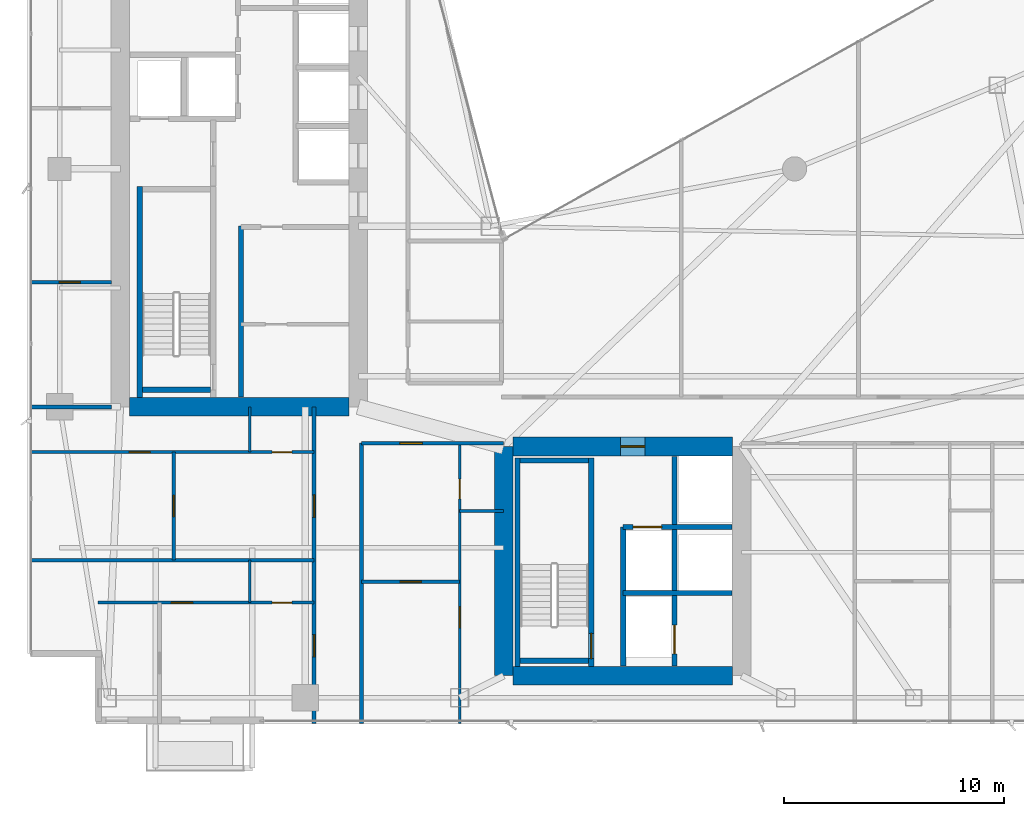
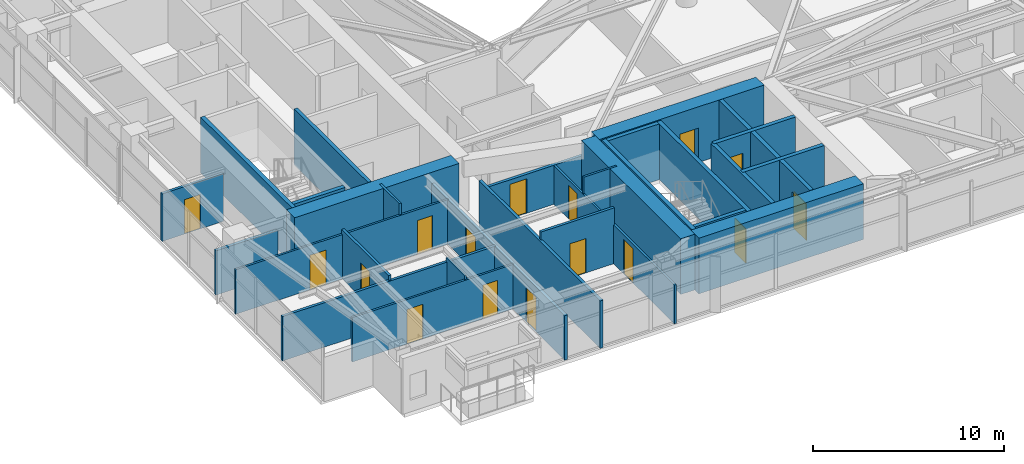
# One storey, part 22 of 29: 29 walls, 16 doors, 16 openings.
"""IFC4 building model written with IfcOpenShell, lengths in metres."""

from ifc_helpers import new_model, si_unit, direction, frame, frame_2d, origin, place, context, subcontext, project, spatial, rectangle, extrude, material, layer, layer_set, type_object, element, fill, save


model = new_model("IFC4")

# Units and contexts
model_context = context("Model", 3, precision=1e-05, world=origin(), true_north=direction((0.0, 1.0)))
body_context = subcontext(model_context, "Body", "Model", "MODEL_VIEW")
ifc_project = project(units=[si_unit("LENGTHUNIT", "METRE"), si_unit("AREAUNIT", "SQUARE_METRE"), si_unit("VOLUMEUNIT", "CUBIC_METRE"), si_unit("PLANEANGLEUNIT", "RADIAN"), si_unit("MASSUNIT", "GRAM", prefix="KILO")], contexts=[model_context])

# Site, building, storey
site_placement = place(None, origin())
site = spatial("IfcSite", under=ifc_project, at=site_placement, CompositionType="ELEMENT")
building_placement = place(site_placement, origin())
building = spatial("IfcBuilding", under=site, at=building_placement, Name="Calvorn Quay Hotel", CompositionType="ELEMENT")
storey_placement = place(building_placement, frame((0.0, 0.0, 124.0)))
storey = spatial("IfcBuildingStorey", under=building, at=storey_placement, Name="L30", CompositionType="ELEMENT", Elevation=124.0)

# Walls
ifc_material_1 = material(Name="Concrete C50", Category="concrete")
ifc_layer_1 = layer(ifc_material_1, 0.85009765625)
ifc_layer_set_1 = layer_set([ifc_layer_1], Name="WL-CORE-850")
wall_type_1 = type_object("IfcWallType", Name="WL-CORE-850", PredefinedType="SHEAR", material=ifc_layer_set_1)
wall_1_placement = place(storey_placement, frame((4.625, 16.800048828125, 0.0), z_axis=(0.0, 0.0, 1.0), x_axis=(1.0, 0.0, 0.0)))
element("IfcWall", 1, at=wall_1_placement, inside=storey, type_object=wall_type_1, Name="West Core Shear Wall S (L30)", PredefinedType="SHEAR", context=body_context, shape_type="SweptSolid", body=[
    extrude(rectangle(XDim=9.949951171875, YDim=0.85009765625, at=frame_2d((4.97509765625, 0.0))), origin(), (0.0, 0.0, 1.0), 3.56005859375),
])
wall_2_placement = place(storey_placement, frame((21.60009765625, 4.60009765625, 0.0), z_axis=(0.0, 0.0, 1.0), x_axis=(0.0, 1.0, 0.0)))
element("IfcWall", 2, at=wall_2_placement, inside=storey, type_object=wall_type_1, Name="East Core Shear Wall W (L30)", PredefinedType="SHEAR", context=body_context, shape_type="SweptSolid", body=[
    extrude(rectangle(XDim=10.39990234375, YDim=0.85009765625, at=frame_2d((5.199951171875, 0.0))), origin(), (0.0, 0.0, 1.0), 3.56005859375),
])

# Wall, opening, door
wall_3_placement = place(storey_placement, frame((22.02490234375, 15.0, 0.0), z_axis=(0.0, 0.0, 1.0), x_axis=(1.0, 0.0, 0.0)))
wall_3 = element("IfcWall", 3, at=wall_3_placement, inside=storey, type_object=wall_type_1, Name="East Core Shear Wall N (L30)", PredefinedType="SHEAR", context=body_context, shape_type="SweptSolid", body=[
    extrude(rectangle(XDim=9.9501953125, YDim=0.85009765625, at=frame_2d((4.97509765625, 0.0))), origin(), (0.0, 0.0, 1.0), 3.56005859375),
])
opening_1_placement = place(wall_3_placement, frame((4.8798828125, 0.0, 0.0)))
opening_1 = element("IfcOpeningElement", 4, at=opening_1_placement, cuts=wall_3, Name="Opening D-L30-FLE", PredefinedType="OPENING", context=body_context, shape_type="SweptSolid", body=[
    extrude(rectangle(XDim=1.10009765625, YDim=2.199951171875, at=frame_2d((0.550048828125, 1.10009765625))), frame((0.0, 0.43505859375, 0.0), z_axis=(0.0, -1.0, 0.0), x_axis=(1.0, 0.0, 0.0)), (0.0, 0.0, 1.0), 0.8701171875),
])
ifc_material_2 = material(Name="Smoke-Sealed Steel Class A Fire Door", Category="steel")
door_type_1 = type_object("IfcDoorType", Name="DR-FFLOBBY-1100", OperationType="NOTDEFINED", PredefinedType="DOOR", material=ifc_material_2)
door_1_placement = place(opening_1_placement, origin())
door_1 = element("IfcDoor", 5, at=door_1_placement, inside=storey, type_object=door_type_1, Name="East Firefighting Lobby Fire Door (L30)", OperationType="SINGLE_SWING_RIGHT", OverallHeight=2.199951171875, OverallWidth=1.10009765625, PredefinedType="DOOR", context=body_context, shape_type="SweptSolid", body=[
    extrude(rectangle(XDim=1.10009765625, YDim=2.199951171875, at=frame_2d((0.550048828125, 1.10009765625))), frame((0.0, 0.02490234375, 0.0), z_axis=(0.0, -1.0, 0.0), x_axis=(1.0, 0.0, 0.0)), (0.0, 0.0, 1.0), 0.050048828125),
])
fill(opening_1, door_1)

# Walls
wall_4_placement = place(storey_placement, frame((22.02490234375, 4.60009765625, 0.0), z_axis=(0.0, 0.0, 1.0), x_axis=(1.0, 0.0, 0.0)))
element("IfcWall", 6, at=wall_4_placement, inside=storey, type_object=wall_type_1, Name="East Core Shear Wall S (L30)", PredefinedType="SHEAR", context=body_context, shape_type="SweptSolid", body=[
    extrude(rectangle(XDim=9.9501953125, YDim=0.85009765625, at=frame_2d((4.97509765625, 0.0))), origin(), (0.0, 0.0, 1.0), 3.56005859375),
])
ifc_material_3 = material(Name="Acoustic Fireboard Steel-Stud Partition", Category="steel")
ifc_layer_2 = layer(ifc_material_3, 0.179931640625)
ifc_layer_set_2 = layer_set([ifc_layer_2], Name="WL-CORR-FIRE-180")
wall_type_2 = type_object("IfcWallType", Name="WL-CORR-FIRE-180", PredefinedType="PARTITIONING", material=ifc_layer_set_2)
wall_5_placement = place(storey_placement, frame((0.080078125, 16.800048828125, 0.0), z_axis=(0.0, 0.0, 1.0), x_axis=(1.0, 0.0, 0.0)))
element("IfcWall", 7, at=wall_5_placement, inside=storey, type_object=wall_type_2, Name="Partition Wall L30-WL-WBAY-S-WALL", PredefinedType="PARTITIONING", context=body_context, shape_type="SweptSolid", body=[
    extrude(rectangle(XDim=3.724853515625, YDim=0.179931640625, at=frame_2d((1.8623046875, 0.0))), origin(), (0.0, 0.0, 1.0), 2.840087890625),
])

# Wall, openings, doors
wall_6_placement = place(storey_placement, frame((13.0, 2.43994140625, 0.0), z_axis=(0.0, 0.0, 1.0), x_axis=(0.0, 1.0, 0.0)))
wall_6 = element("IfcWall", 8, at=wall_6_placement, inside=storey, type_object=wall_type_2, Name="Partition Wall L30-WL-CORR-SW-LEG-W", PredefinedType="PARTITIONING", context=body_context, shape_type="SweptSolid", body=[
    extrude(rectangle(XDim=14.360107421875, YDim=0.179931640625, at=frame_2d((7.18017578125, 0.0))), origin(), (0.0, 0.0, 1.0), 2.840087890625),
])
opening_2_placement = place(wall_6_placement, frame((3.010009765625, 0.0, 0.0)))
opening_2 = element("IfcOpeningElement", 9, at=opening_2_placement, cuts=wall_6, Name="Opening D-L30-U01", PredefinedType="OPENING", context=body_context, shape_type="SweptSolid", body=[
    extrude(rectangle(XDim=1.02001953125, YDim=2.199951171875, at=frame_2d((0.510009765625, 1.10009765625))), frame((0.0, 0.099853515625, 0.0), z_axis=(0.0, -1.0, 0.0), x_axis=(1.0, 0.0, 0.0)), (0.0, 0.0, 1.0), 0.199951171875),
])
opening_3_placement = place(wall_6_placement, frame((9.35009765625, 0.0, 0.0)))
opening_3 = element("IfcOpeningElement", 10, at=opening_3_placement, cuts=wall_6, Name="Opening D-L30-U02", PredefinedType="OPENING", context=body_context, shape_type="SweptSolid", body=[
    extrude(rectangle(XDim=1.02001953125, YDim=2.199951171875, at=frame_2d((0.510009765625, 1.10009765625))), frame((0.0, 0.099853515625, 0.0), z_axis=(0.0, -1.0, 0.0), x_axis=(1.0, 0.0, 0.0)), (0.0, 0.0, 1.0), 0.199951171875),
])
ifc_material_4 = material(Name="Solid-Core Walnut Veneer Hotel Fire Door")
door_type_2 = type_object("IfcDoorType", Name="DR-GUEST-ENTRY-1020", OperationType="NOTDEFINED", PredefinedType="DOOR", material=ifc_material_4)
door_2_placement = place(opening_2_placement, origin())
door_2 = element("IfcDoor", 11, at=door_2_placement, inside=storey, type_object=door_type_2, Name="South-West Unit Door U01 (L30)", OperationType="SINGLE_SWING_LEFT", OverallHeight=2.199951171875, OverallWidth=1.02001953125, PredefinedType="DOOR", context=body_context, shape_type="SweptSolid", body=[
    extrude(rectangle(XDim=1.02001953125, YDim=2.199951171875, at=frame_2d((0.510009765625, 1.10009765625))), frame((0.0, 0.02490234375, 0.0), z_axis=(0.0, -1.0, 0.0), x_axis=(1.0, 0.0, 0.0)), (0.0, 0.0, 1.0), 0.050048828125),
])
fill(opening_2, door_2)
door_3_placement = place(opening_3_placement, origin())
door_3 = element("IfcDoor", 12, at=door_3_placement, inside=storey, type_object=door_type_2, Name="South-West Unit Door U02 (L30)", OperationType="SINGLE_SWING_RIGHT", OverallHeight=2.199951171875, OverallWidth=1.02001953125, PredefinedType="DOOR", context=body_context, shape_type="SweptSolid", body=[
    extrude(rectangle(XDim=1.02001953125, YDim=2.199951171875, at=frame_2d((0.510009765625, 1.10009765625))), frame((0.0, 0.02490234375, 0.0), z_axis=(0.0, -1.0, 0.0), x_axis=(1.0, 0.0, 0.0)), (0.0, 0.0, 1.0), 0.050048828125),
])
fill(opening_3, door_3)

# Wall
wall_7_placement = place(storey_placement, frame((15.14990234375, 2.43994140625, 0.0), z_axis=(0.0, 0.0, 1.0), x_axis=(0.0, 1.0, 0.0)))
element("IfcWall", 13, at=wall_7_placement, inside=storey, type_object=wall_type_2, Name="Partition Wall L30-WL-CORR-SW-W", PredefinedType="PARTITIONING", context=body_context, shape_type="SweptSolid", body=[
    extrude(rectangle(XDim=12.7099609375, YDim=0.179931640625, at=frame_2d((6.35498046875, 0.0))), origin(), (0.0, 0.0, 1.0), 3.0400390625),
])

# Wall, opening, door
wall_8_placement = place(storey_placement, frame((15.14990234375, 15.14990234375, 0.0), z_axis=(0.0, 0.0, 1.0), x_axis=(1.0, 0.0, 0.0)))
wall_8 = element("IfcWall", 14, at=wall_8_placement, inside=storey, type_object=wall_type_2, Name="Partition Wall L30-WL-SC-CORR-S", PredefinedType="PARTITIONING", context=body_context, shape_type="SweptSolid", body=[
    extrude(rectangle(XDim=6.4501953125, YDim=0.179931640625, at=frame_2d((3.22509765625, 0.0))), origin(), (0.0, 0.0, 1.0), 2.489990234375),
])
opening_4_placement = place(wall_8_placement, frame((1.739990234375, 0.0, 0.0)))
opening_4 = element("IfcOpeningElement", 15, at=opening_4_placement, cuts=wall_8, Name="Opening D-L30-U03", PredefinedType="OPENING", context=body_context, shape_type="SweptSolid", body=[
    extrude(rectangle(XDim=1.02001953125, YDim=2.199951171875, at=frame_2d((0.510009765625, 1.10009765625))), frame((0.0, 0.099853515625, 0.0), z_axis=(0.0, -1.0, 0.0), x_axis=(1.0, 0.0, 0.0)), (0.0, 0.0, 1.0), 0.199951171875),
])
door_4_placement = place(opening_4_placement, origin())
door_4 = element("IfcDoor", 16, at=door_4_placement, inside=storey, type_object=door_type_2, Name="Harbour Central Unit Door (L30)", OperationType="SINGLE_SWING_LEFT", OverallHeight=2.199951171875, OverallWidth=1.02001953125, PredefinedType="DOOR", context=body_context, shape_type="SweptSolid", body=[
    extrude(rectangle(XDim=1.02001953125, YDim=2.199951171875, at=frame_2d((0.510009765625, 1.10009765625))), frame((0.0, 0.02490234375, 0.0), z_axis=(0.0, -1.0, 0.0), x_axis=(1.0, 0.0, 0.0)), (0.0, 0.0, 1.0), 0.050048828125),
])
fill(opening_4, door_4)

# Wall
ifc_material_5 = material(Name="Moisture-Resistant Tile-Backed Partition")
ifc_layer_3 = layer(ifc_material_5, 0.125)
ifc_layer_set_3 = layer_set([ifc_layer_3], Name="WL-ENSUITE-125")
wall_type_3 = type_object("IfcWallType", Name="WL-ENSUITE-125", PredefinedType="PARTITIONING", material=ifc_layer_set_3)
wall_9_placement = place(storey_placement, frame((10.080078125, 7.919921875, 0.0), z_axis=(0.0, 0.0, 1.0), x_axis=(0.0, 1.0, 0.0)))
element("IfcWall", 17, at=wall_9_placement, inside=storey, type_object=wall_type_3, Name="Partition Wall L30-WL-U01-BDV", PredefinedType="PARTITIONING", context=body_context, shape_type="SweptSolid", body=[
    extrude(rectangle(XDim=1.93017578125, YDim=0.125, at=frame_2d((0.965087890625, 0.0))), origin(), (0.0, 0.0, 1.0), 3.090087890625),
])

# Wall, openings, doors
wall_10_placement = place(storey_placement, frame((3.199951171875, 7.919921875, 0.0), z_axis=(0.0, 0.0, 1.0), x_axis=(1.0, 0.0, 0.0)))
wall_10 = element("IfcWall", 18, at=wall_10_placement, inside=storey, type_object=wall_type_3, Name="Partition Wall L30-WL-U01-BH", PredefinedType="PARTITIONING", context=body_context, shape_type="SweptSolid", body=[
    extrude(rectangle(XDim=9.800048828125, YDim=0.125, at=frame_2d((4.89990234375, 0.0))), origin(), (0.0, 0.0, 1.0), 2.840087890625),
])
opening_5_placement = place(wall_10_placement, frame((3.320068359375, 0.0, 0.0)))
opening_5 = element("IfcOpeningElement", 19, at=opening_5_placement, cuts=wall_10, Name="Opening D-L30-S01", PredefinedType="OPENING", context=body_context, shape_type="SweptSolid", body=[
    extrude(rectangle(XDim=0.9599609375, YDim=2.199951171875, at=frame_2d((0.47998046875, 1.10009765625))), frame((0.0, 0.072509765625, 0.0), z_axis=(0.0, -1.0, 0.0), x_axis=(1.0, 0.0, 0.0)), (0.0, 0.0, 1.0), 0.14501953125),
])
opening_6_placement = place(wall_10_placement, frame((7.889892578125, 0.0, 0.0)))
opening_6 = element("IfcOpeningElement", 20, at=opening_6_placement, cuts=wall_10, Name="Opening D-L30-E01", PredefinedType="OPENING", context=body_context, shape_type="SweptSolid", body=[
    extrude(rectangle(XDim=0.89990234375, YDim=2.14990234375, at=frame_2d((0.449951171875, 1.074951171875))), frame((0.0, 0.072509765625, 0.0), z_axis=(0.0, -1.0, 0.0), x_axis=(1.0, 0.0, 0.0)), (0.0, 0.0, 1.0), 0.14501953125),
])
ifc_material_6 = material(Name="Moisture-Sealed Timber En-Suite Door", Category="wood")
door_type_3 = type_object("IfcDoorType", Name="DR-ENSUITE-900", OperationType="NOTDEFINED", PredefinedType="DOOR", material=ifc_material_6)
door_5_placement = place(opening_6_placement, origin())
door_5 = element("IfcDoor", 21, at=door_5_placement, inside=storey, type_object=door_type_3, Name="En-Suite Door 01", OperationType="SINGLE_SWING_RIGHT", OverallHeight=2.14990234375, OverallWidth=0.89990234375, PredefinedType="DOOR", context=body_context, shape_type="SweptSolid", body=[
    extrude(rectangle(XDim=0.89990234375, YDim=2.14990234375, at=frame_2d((0.449951171875, 1.074951171875))), frame((0.0, 0.02490234375, 0.0), z_axis=(0.0, -1.0, 0.0), x_axis=(1.0, 0.0, 0.0)), (0.0, 0.0, 1.0), 0.050048828125),
])
fill(opening_6, door_5)
ifc_material_7 = material(Name="Solid Timber Internal Suite Door", Category="wood")
door_type_4 = type_object("IfcDoorType", Name="DR-SUITE-INT-960", OperationType="NOTDEFINED", PredefinedType="DOOR", material=ifc_material_7)
door_6_placement = place(opening_5_placement, origin())
door_6 = element("IfcDoor", 22, at=door_6_placement, inside=storey, type_object=door_type_4, Name="Harbour Tea Room Door 01", OperationType="SINGLE_SWING_LEFT", OverallHeight=2.199951171875, OverallWidth=0.9599609375, PredefinedType="DOOR", context=body_context, shape_type="SweptSolid", body=[
    extrude(rectangle(XDim=0.9599609375, YDim=2.199951171875, at=frame_2d((0.47998046875, 1.10009765625))), frame((0.0, 0.02490234375, 0.0), z_axis=(0.0, -1.0, 0.0), x_axis=(1.0, 0.0, 0.0)), (0.0, 0.0, 1.0), 0.050048828125),
])
fill(opening_5, door_6)

# Wall
wall_11_placement = place(storey_placement, frame((10.080078125, 14.75, 0.0), z_axis=(0.0, 0.0, 1.0), x_axis=(0.0, 1.0, 0.0)))
element("IfcWall", 23, at=wall_11_placement, inside=storey, type_object=wall_type_3, Name="Partition Wall L30-WL-U02-BDV", PredefinedType="PARTITIONING", context=body_context, shape_type="SweptSolid", body=[
    extrude(rectangle(XDim=2.050048828125, YDim=0.125, at=frame_2d((1.02490234375, 0.0))), origin(), (0.0, 0.0, 1.0), 3.56005859375),
])

# Wall, openings, doors
wall_12_placement = place(storey_placement, frame((0.080078125, 14.75, 0.0), z_axis=(0.0, 0.0, 1.0), x_axis=(1.0, 0.0, 0.0)))
wall_12 = element("IfcWall", 24, at=wall_12_placement, inside=storey, type_object=wall_type_3, Name="Partition Wall L30-WL-U02-BH", PredefinedType="PARTITIONING", context=body_context, shape_type="SweptSolid", body=[
    extrude(rectangle(XDim=12.919921875, YDim=0.125, at=frame_2d((6.4599609375, 0.0))), origin(), (0.0, 0.0, 1.0), 2.840087890625),
])
opening_7_placement = place(wall_12_placement, frame((4.52001953125, 0.0, 0.0)))
opening_7 = element("IfcOpeningElement", 25, at=opening_7_placement, cuts=wall_12, Name="Opening D-L30-S02", PredefinedType="OPENING", context=body_context, shape_type="SweptSolid", body=[
    extrude(rectangle(XDim=0.9599609375, YDim=2.199951171875, at=frame_2d((0.47998046875, 1.10009765625))), frame((0.0, 0.072509765625, 0.0), z_axis=(0.0, -1.0, 0.0), x_axis=(1.0, 0.0, 0.0)), (0.0, 0.0, 1.0), 0.14501953125),
])
opening_8_placement = place(wall_12_placement, frame((11.010009765625, 0.0, 0.0)))
opening_8 = element("IfcOpeningElement", 26, at=opening_8_placement, cuts=wall_12, Name="Opening D-L30-E02", PredefinedType="OPENING", context=body_context, shape_type="SweptSolid", body=[
    extrude(rectangle(XDim=0.89990234375, YDim=2.14990234375, at=frame_2d((0.449951171875, 1.074951171875))), frame((0.0, 0.072509765625, 0.0), z_axis=(0.0, -1.0, 0.0), x_axis=(1.0, 0.0, 0.0)), (0.0, 0.0, 1.0), 0.14501953125),
])
door_7_placement = place(opening_8_placement, origin())
door_7 = element("IfcDoor", 27, at=door_7_placement, inside=storey, type_object=door_type_3, Name="En-Suite Door 02", OperationType="SINGLE_SWING_RIGHT", OverallHeight=2.14990234375, OverallWidth=0.89990234375, PredefinedType="DOOR", context=body_context, shape_type="SweptSolid", body=[
    extrude(rectangle(XDim=0.89990234375, YDim=2.14990234375, at=frame_2d((0.449951171875, 1.074951171875))), frame((0.0, 0.02490234375, 0.0), z_axis=(0.0, -1.0, 0.0), x_axis=(1.0, 0.0, 0.0)), (0.0, 0.0, 1.0), 0.050048828125),
])
fill(opening_8, door_7)
door_8_placement = place(opening_7_placement, origin())
door_8 = element("IfcDoor", 28, at=door_8_placement, inside=storey, type_object=door_type_4, Name="Harbour Tea Room Door 02", OperationType="SINGLE_SWING_LEFT", OverallHeight=2.199951171875, OverallWidth=0.9599609375, PredefinedType="DOOR", context=body_context, shape_type="SweptSolid", body=[
    extrude(rectangle(XDim=0.9599609375, YDim=2.199951171875, at=frame_2d((0.47998046875, 1.10009765625))), frame((0.0, 0.02490234375, 0.0), z_axis=(0.0, -1.0, 0.0), x_axis=(1.0, 0.0, 0.0)), (0.0, 0.0, 1.0), 0.050048828125),
])
fill(opening_7, door_8)

# Wall
wall_13_placement = place(storey_placement, frame((19.60009765625, 12.070068359375, 0.0), z_axis=(0.0, 0.0, 1.0), x_axis=(1.0, 0.0, 0.0)))
element("IfcWall", 29, at=wall_13_placement, inside=storey, type_object=wall_type_3, Name="Partition Wall L30-WL-U03-BDV", PredefinedType="PARTITIONING", context=body_context, shape_type="SweptSolid", body=[
    extrude(rectangle(XDim=2.0, YDim=0.125, at=frame_2d((1.0, 0.0))), origin(), (0.0, 0.0, 1.0), 3.56005859375),
])

# Wall, openings, doors
wall_14_placement = place(storey_placement, frame((19.60009765625, 2.43994140625, 0.0), z_axis=(0.0, 0.0, 1.0), x_axis=(0.0, 1.0, 0.0)))
wall_14 = element("IfcWall", 30, at=wall_14_placement, inside=storey, type_object=wall_type_3, Name="Partition Wall L30-WL-U03-BV", PredefinedType="PARTITIONING", context=body_context, shape_type="SweptSolid", body=[
    extrude(rectangle(XDim=12.7099609375, YDim=0.125, at=frame_2d((6.35498046875, 0.0))), origin(), (0.0, 0.0, 1.0), 2.489990234375),
])
opening_9_placement = place(wall_14_placement, frame((4.340087890625, 0.0, 0.0)))
opening_9 = element("IfcOpeningElement", 31, at=opening_9_placement, cuts=wall_14, Name="Opening D-L30-S03", PredefinedType="OPENING", context=body_context, shape_type="SweptSolid", body=[
    extrude(rectangle(XDim=0.9599609375, YDim=2.199951171875, at=frame_2d((0.47998046875, 1.10009765625))), frame((0.0, 0.072509765625, 0.0), z_axis=(0.0, -1.0, 0.0), x_axis=(1.0, 0.0, 0.0)), (0.0, 0.0, 1.0), 0.14501953125),
])
opening_10_placement = place(wall_14_placement, frame((10.179931640625, 0.0, 0.0)))
opening_10 = element("IfcOpeningElement", 32, at=opening_10_placement, cuts=wall_14, Name="Opening D-L30-E03", PredefinedType="OPENING", context=body_context, shape_type="SweptSolid", body=[
    extrude(rectangle(XDim=0.89990234375, YDim=2.14990234375, at=frame_2d((0.449951171875, 1.074951171875))), frame((0.0, 0.072509765625, 0.0), z_axis=(0.0, -1.0, 0.0), x_axis=(1.0, 0.0, 0.0)), (0.0, 0.0, 1.0), 0.14501953125),
])
door_9_placement = place(opening_10_placement, origin())
door_9 = element("IfcDoor", 33, at=door_9_placement, inside=storey, type_object=door_type_3, Name="En-Suite Door 03", OperationType="SINGLE_SWING_RIGHT", OverallHeight=2.14990234375, OverallWidth=0.89990234375, PredefinedType="DOOR", context=body_context, shape_type="SweptSolid", body=[
    extrude(rectangle(XDim=0.89990234375, YDim=2.14990234375, at=frame_2d((0.449951171875, 1.074951171875))), frame((0.0, 0.02490234375, 0.0), z_axis=(0.0, -1.0, 0.0), x_axis=(1.0, 0.0, 0.0)), (0.0, 0.0, 1.0), 0.050048828125),
])
fill(opening_10, door_9)
door_10_placement = place(opening_9_placement, origin())
door_10 = element("IfcDoor", 34, at=door_10_placement, inside=storey, type_object=door_type_4, Name="Harbour Tea Room Door 03", OperationType="SINGLE_SWING_LEFT", OverallHeight=2.199951171875, OverallWidth=0.9599609375, PredefinedType="DOOR", context=body_context, shape_type="SweptSolid", body=[
    extrude(rectangle(XDim=0.9599609375, YDim=2.199951171875, at=frame_2d((0.47998046875, 1.10009765625))), frame((0.0, 0.02490234375, 0.0), z_axis=(0.0, -1.0, 0.0), x_axis=(1.0, 0.0, 0.0)), (0.0, 0.0, 1.0), 0.050048828125),
])
fill(opening_9, door_10)

# Wall, opening, door
ifc_material_8 = material(Name="Double-Stud Acoustic Gypsum Partition")
ifc_layer_4 = layer(ifc_material_8, 0.159912109375)
ifc_layer_set_4 = layer_set([ifc_layer_4], Name="WL-INTERSUITE-160")
wall_type_4 = type_object("IfcWallType", Name="WL-INTERSUITE-160", PredefinedType="PARTITIONING", material=ifc_layer_set_4)
wall_15_placement = place(storey_placement, frame((0.080078125, 22.449951171875, 0.0), z_axis=(0.0, 0.0, 1.0), x_axis=(1.0, 0.0, 0.0)))
wall_15 = element("IfcWall", 35, at=wall_15_placement, inside=storey, type_object=wall_type_4, Name="Partition Wall L30-WL-WBAY-DIVA", PredefinedType="PARTITIONING", context=body_context, shape_type="SweptSolid", body=[
    extrude(rectangle(XDim=3.724853515625, YDim=0.159912109375, at=frame_2d((1.8623046875, 0.0))), origin(), (0.0, 0.0, 1.0), 3.0400390625),
])
opening_11_placement = place(wall_15_placement, frame((1.35009765625, 0.0, 0.0)))
opening_11 = element("IfcOpeningElement", 36, at=opening_11_placement, cuts=wall_15, Name="Opening D-L30-WBA", PredefinedType="OPENING", context=body_context, shape_type="SweptSolid", body=[
    extrude(rectangle(XDim=0.9599609375, YDim=2.199951171875, at=frame_2d((0.47998046875, 1.10009765625))), frame((0.0, 0.08984375, 0.0), z_axis=(0.0, -1.0, 0.0), x_axis=(1.0, 0.0, 0.0)), (0.0, 0.0, 1.0), 0.179931640625),
])
door_11_placement = place(opening_11_placement, origin())
door_11 = element("IfcDoor", 37, at=door_11_placement, inside=storey, type_object=door_type_4, Name="West South Connecting Door (L30)", OperationType="SINGLE_SWING_LEFT", OverallHeight=2.199951171875, OverallWidth=0.9599609375, PredefinedType="DOOR", context=body_context, shape_type="SweptSolid", body=[
    extrude(rectangle(XDim=0.9599609375, YDim=2.199951171875, at=frame_2d((0.47998046875, 1.10009765625))), frame((0.0, 0.02490234375, 0.0), z_axis=(0.0, -1.0, 0.0), x_axis=(1.0, 0.0, 0.0)), (0.0, 0.0, 1.0), 0.050048828125),
])
fill(opening_11, door_11)

wall_16_placement = place(storey_placement, frame((6.6201171875, 9.85009765625, 0.0), z_axis=(0.0, 0.0, 1.0), x_axis=(0.0, 1.0, 0.0)))
wall_16 = element("IfcWall", 38, at=wall_16_placement, inside=storey, type_object=wall_type_4, Name="Partition Wall L30-WL-U02-MSP", PredefinedType="PARTITIONING", context=body_context, shape_type="SweptSolid", body=[
    extrude(rectangle(XDim=4.89990234375, YDim=0.159912109375, at=frame_2d((2.449951171875, 0.0))), origin(), (0.0, 0.0, 1.0), 3.139892578125),
])
opening_12_placement = place(wall_16_placement, frame((1.969970703125, 0.0, 0.0)))
opening_12 = element("IfcOpeningElement", 39, at=opening_12_placement, cuts=wall_16, Name="Opening D-L30-M02", PredefinedType="OPENING", context=body_context, shape_type="SweptSolid", body=[
    extrude(rectangle(XDim=0.9599609375, YDim=2.199951171875, at=frame_2d((0.47998046875, 1.10009765625))), frame((0.0, 0.08984375, 0.0), z_axis=(0.0, -1.0, 0.0), x_axis=(1.0, 0.0, 0.0)), (0.0, 0.0, 1.0), 0.179931640625),
])
door_12_placement = place(opening_12_placement, origin())
door_12 = element("IfcDoor", 40, at=door_12_placement, inside=storey, type_object=door_type_4, Name="Suite Bedroom Door 02", OperationType="SINGLE_SWING_LEFT", OverallHeight=2.199951171875, OverallWidth=0.9599609375, PredefinedType="DOOR", context=body_context, shape_type="SweptSolid", body=[
    extrude(rectangle(XDim=0.9599609375, YDim=2.199951171875, at=frame_2d((0.47998046875, 1.10009765625))), frame((0.0, 0.02490234375, 0.0), z_axis=(0.0, -1.0, 0.0), x_axis=(1.0, 0.0, 0.0)), (0.0, 0.0, 1.0), 0.050048828125),
])
fill(opening_12, door_12)

# Wall
wall_17_placement = place(storey_placement, frame((0.080078125, 9.85009765625, 0.0), z_axis=(0.0, 0.0, 1.0), x_axis=(1.0, 0.0, 0.0)))
element("IfcWall", 41, at=wall_17_placement, inside=storey, type_object=wall_type_4, Name="Partition Wall L30-WL-SW-DIV-1", PredefinedType="PARTITIONING", context=body_context, shape_type="SweptSolid", body=[
    extrude(rectangle(XDim=12.919921875, YDim=0.159912109375, at=frame_2d((6.4599609375, 0.0))), origin(), (0.0, 0.0, 1.0), 2.840087890625),
])

# Wall, opening, door
wall_18_placement = place(storey_placement, frame((15.14990234375, 8.8701171875, 0.0), z_axis=(0.0, 0.0, 1.0), x_axis=(1.0, 0.0, 0.0)))
wall_18 = element("IfcWall", 42, at=wall_18_placement, inside=storey, type_object=wall_type_4, Name="Partition Wall L30-WL-U03-MSP", PredefinedType="PARTITIONING", context=body_context, shape_type="SweptSolid", body=[
    extrude(rectangle(XDim=4.4501953125, YDim=0.159912109375, at=frame_2d((2.22509765625, 0.0))), origin(), (0.0, 0.0, 1.0), 3.56005859375),
])
opening_13_placement = place(wall_18_placement, frame((1.75, 0.0, 0.0)))
opening_13 = element("IfcOpeningElement", 43, at=opening_13_placement, cuts=wall_18, Name="Opening D-L30-M03", PredefinedType="OPENING", context=body_context, shape_type="SweptSolid", body=[
    extrude(rectangle(XDim=0.9599609375, YDim=2.199951171875, at=frame_2d((0.47998046875, 1.10009765625))), frame((0.0, 0.08984375, 0.0), z_axis=(0.0, -1.0, 0.0), x_axis=(1.0, 0.0, 0.0)), (0.0, 0.0, 1.0), 0.179931640625),
])
door_13_placement = place(opening_13_placement, origin())
door_13 = element("IfcDoor", 44, at=door_13_placement, inside=storey, type_object=door_type_4, Name="Suite Bedroom Door 03", OperationType="SINGLE_SWING_LEFT", OverallHeight=2.199951171875, OverallWidth=0.9599609375, PredefinedType="DOOR", context=body_context, shape_type="SweptSolid", body=[
    extrude(rectangle(XDim=0.9599609375, YDim=2.199951171875, at=frame_2d((0.47998046875, 1.10009765625))), frame((0.0, 0.02490234375, 0.0), z_axis=(0.0, -1.0, 0.0), x_axis=(1.0, 0.0, 0.0)), (0.0, 0.0, 1.0), 0.050048828125),
])
fill(opening_13, door_13)

# Walls
ifc_material_9 = material(Name="Autoclaved Aerated Masonry Block", Category="masonry")
ifc_layer_5 = layer(ifc_material_9, 0.219970703125)
ifc_layer_set_5 = layer_set([ifc_layer_5], Name="WL-LOBBY-FIRE-220")
wall_type_5 = type_object("IfcWallType", Name="WL-LOBBY-FIRE-220", PredefinedType="SOLIDWALL", material=ifc_layer_set_5)
wall_19_placement = place(storey_placement, frame((9.679931640625, 17.2451171875, 0.0), z_axis=(0.0, 0.0, 1.0), x_axis=(0.0, 1.0, 0.0)))
element("IfcWall", 45, at=wall_19_placement, inside=storey, type_object=wall_type_5, Name="Partition Wall L30-WL-CWW-STW-HALL-E", PredefinedType="SOLIDWALL", context=body_context, shape_type="SweptSolid", body=[
    extrude(rectangle(XDim=7.7548828125, YDim=0.219970703125, at=frame_2d((3.87744140625, 0.0))), origin(), (0.0, 0.0, 1.0), 3.56005859375),
])
ifc_material_10 = material(Name="Concrete C40", Category="concrete")
ifc_layer_6 = layer(ifc_material_10, 0.239990234375)
ifc_layer_set_6 = layer_set([ifc_layer_6], Name="WL-SHAFT-240")
wall_type_6 = type_object("IfcWallType", Name="WL-SHAFT-240", PredefinedType="SOLIDWALL", material=ifc_layer_set_6)
wall_20_placement = place(storey_placement, frame((5.080078125, 17.22509765625, 0.0), z_axis=(0.0, 0.0, 1.0), x_axis=(0.0, 1.0, 0.0)))
element("IfcWall", 46, at=wall_20_placement, inside=storey, type_object=wall_type_6, Name="Stair STW Shaft Wall W (L30)", PredefinedType="SOLIDWALL", context=body_context, shape_type="SweptSolid", body=[
    extrude(rectangle(XDim=9.56494140625, YDim=0.239990234375, at=frame_2d((4.782470703125, 0.0))), origin(), (0.0, 0.0, 1.0), 3.56005859375),
])
wall_21_placement = place(storey_placement, frame((5.199951171875, 17.580078125, 0.0), z_axis=(0.0, 0.0, 1.0), x_axis=(1.0, 0.0, 0.0)))
element("IfcWall", 47, at=wall_21_placement, inside=storey, type_object=wall_type_6, Name="Stair STW Shaft Wall S (L30)", PredefinedType="SOLIDWALL", context=body_context, shape_type="SweptSolid", body=[
    extrude(rectangle(XDim=3.10009765625, YDim=0.239990234375, at=frame_2d((1.550048828125, 0.0))), origin(), (0.0, 0.0, 1.0), 3.56005859375),
])
wall_22_placement = place(storey_placement, frame((22.22998046875, 5.02490234375, 0.0), z_axis=(0.0, 0.0, 1.0), x_axis=(0.0, 1.0, 0.0)))
element("IfcWall", 48, at=wall_22_placement, inside=storey, type_object=wall_type_6, Name="Stair STE Shaft Wall W (L30)", PredefinedType="SOLIDWALL", context=body_context, shape_type="SweptSolid", body=[
    extrude(rectangle(XDim=9.465087890625, YDim=0.239990234375, at=frame_2d((4.732421875, 0.0))), origin(), (0.0, 0.0, 1.0), 3.56005859375),
])

# Wall, opening, door
wall_23_placement = place(storey_placement, frame((25.570068359375, 5.02490234375, 0.0), z_axis=(0.0, 0.0, 1.0), x_axis=(0.0, 1.0, 0.0)))
wall_23 = element("IfcWall", 49, at=wall_23_placement, inside=storey, type_object=wall_type_6, Name="Stair STE Shaft Wall E (L30)", PredefinedType="SOLIDWALL", context=body_context, shape_type="SweptSolid", body=[
    extrude(rectangle(XDim=9.465087890625, YDim=0.239990234375, at=frame_2d((4.732421875, 0.0))), origin(), (0.0, 0.0, 1.0), 3.56005859375),
])
opening_14_placement = place(wall_23_placement, frame((0.35009765625, 0.0, 0.0)))
opening_14 = element("IfcOpeningElement", 50, at=opening_14_placement, cuts=wall_23, Name="Opening D-L30-STE", PredefinedType="OPENING", context=body_context, shape_type="SweptSolid", body=[
    extrude(rectangle(XDim=1.14990234375, YDim=2.199951171875, at=frame_2d((0.574951171875, 1.10009765625))), frame((0.0, 0.1298828125, 0.0), z_axis=(0.0, -1.0, 0.0), x_axis=(1.0, 0.0, 0.0)), (0.0, 0.0, 1.0), 0.260009765625),
])
ifc_material_11 = material(Name="Galvanised Steel Class A Fire Door", Category="steel")
door_type_5 = type_object("IfcDoorType", Name="DR-STAIR-SMOKE-1150", OperationType="NOTDEFINED", PredefinedType="DOOR", material=ifc_material_11)
door_14_placement = place(opening_14_placement, origin())
door_14 = element("IfcDoor", 51, at=door_14_placement, inside=storey, type_object=door_type_5, Name="Stair ST-E Fire Door (L30)", OperationType="SINGLE_SWING_RIGHT", OverallHeight=2.199951171875, OverallWidth=1.14990234375, PredefinedType="DOOR", context=body_context, shape_type="SweptSolid", body=[
    extrude(rectangle(XDim=1.14990234375, YDim=2.199951171875, at=frame_2d((0.574951171875, 1.10009765625))), frame((0.0, 0.02490234375, 0.0), z_axis=(0.0, -1.0, 0.0), x_axis=(1.0, 0.0, 0.0)), (0.0, 0.0, 1.0), 0.050048828125),
])
fill(opening_14, door_14)

# Walls
for number, where, z_axis, x_axis, name in (
    (52, (22.35009765625, 5.280029296875, 0.0), (0.0, 0.0, 1.0), (1.0, 0.0, 0.0), "Stair STE Shaft Wall S (L30)"),
    (53, (22.35009765625, 14.3701171875, 0.0), (0.0, 0.0, 1.0), (1.0, 0.0, 0.0), "Stair STE Shaft Wall N (L30)"),
):
    element("IfcWall", number, at=place(storey_placement, frame(where, z_axis=z_axis, x_axis=x_axis)), inside=storey, type_object=wall_type_6, Name=name, PredefinedType="SOLIDWALL", context=body_context, shape_type="SweptSolid", body=[
        extrude(rectangle(XDim=3.099853515625, YDim=0.239990234375, at=frame_2d((1.5498046875, 0.0))), origin(), (0.0, 0.0, 1.0), 3.56005859375),
    ])
wall_24_placement = place(storey_placement, frame((27.02001953125, 5.044921875, 0.0), z_axis=(0.0, 0.0, 1.0), x_axis=(0.0, 1.0, 0.0)))
element("IfcWall", 54, at=wall_24_placement, inside=storey, type_object=wall_type_6, Name="Partition Wall L30-WL-CWE-SH-W", PredefinedType="SOLIDWALL", context=body_context, shape_type="SweptSolid", body=[
    extrude(rectangle(XDim=6.30517578125, YDim=0.239990234375, at=frame_2d((3.152587890625, 0.0))), origin(), (0.0, 0.0, 1.0), 3.56005859375),
])

# Wall, opening, door
wall_25_placement = place(storey_placement, frame((27.02001953125, 11.35009765625, 0.0), z_axis=(0.0, 0.0, 1.0), x_axis=(1.0, 0.0, 0.0)))
wall_25 = element("IfcWall", 55, at=wall_25_placement, inside=storey, type_object=wall_type_6, Name="Partition Wall L30-WL-CWE-FFL-S", PredefinedType="SOLIDWALL", context=body_context, shape_type="SweptSolid", body=[
    extrude(rectangle(XDim=4.93505859375, YDim=0.239990234375, at=frame_2d((2.467529296875, 0.0))), origin(), (0.0, 0.0, 1.0), 3.56005859375),
])
opening_15_placement = place(wall_25_placement, frame((0.449951171875, 0.0, 0.0)))
opening_15 = element("IfcOpeningElement", 56, at=opening_15_placement, cuts=wall_25, Name="Opening LD-L30-FLE1", PredefinedType="OPENING", context=body_context, shape_type="SweptSolid", body=[
    extrude(rectangle(XDim=1.300048828125, YDim=2.35009765625, at=frame_2d((0.64990234375, 1.175048828125))), frame((0.0, 0.1298828125, 0.0), z_axis=(0.0, -1.0, 0.0), x_axis=(1.0, 0.0, 0.0)), (0.0, 0.0, 1.0), 0.260009765625),
])
ifc_material_12 = material(Name="Champagne-Bronze Sliding Express Lift Landing Door")
door_type_6 = type_object("IfcDoorType", Name="DR-LIFT-SHUTTLE-1300", OperationType="NOTDEFINED", PredefinedType="DOOR", material=ifc_material_12)
door_15_placement = place(opening_15_placement, origin())
door_15 = element("IfcDoor", 57, at=door_15_placement, inside=storey, type_object=door_type_6, Name="Firefighting Lift FL-E1 Landing Door (L30)", OperationType="DOUBLE_DOOR_SLIDING", OverallHeight=2.35009765625, OverallWidth=1.300048828125, PredefinedType="DOOR", context=body_context, shape_type="SweptSolid", body=[
    extrude(rectangle(XDim=1.300048828125, YDim=2.35009765625, at=frame_2d((0.64990234375, 1.175048828125))), frame((0.0, 0.02490234375, 0.0), z_axis=(0.0, -1.0, 0.0), x_axis=(1.0, 0.0, 0.0)), (0.0, 0.0, 1.0), 0.050048828125),
])
fill(opening_15, door_15)

# Wall
wall_26_placement = place(storey_placement, frame((27.02001953125, 8.35009765625, 0.0), z_axis=(0.0, 0.0, 1.0), x_axis=(1.0, 0.0, 0.0)))
element("IfcWall", 58, at=wall_26_placement, inside=storey, type_object=wall_type_6, Name="Partition Wall L30-WL-CWE-SL-N", PredefinedType="SOLIDWALL", context=body_context, shape_type="SweptSolid", body=[
    extrude(rectangle(XDim=4.93505859375, YDim=0.239990234375, at=frame_2d((2.467529296875, 0.0))), origin(), (0.0, 0.0, 1.0), 3.56005859375),
])

# Wall, opening, door
wall_27_placement = place(storey_placement, frame((29.35009765625, 5.044921875, 0.0), z_axis=(0.0, 0.0, 1.0), x_axis=(0.0, 1.0, 0.0)))
wall_27 = element("IfcWall", 59, at=wall_27_placement, inside=storey, type_object=wall_type_6, Name="Partition Wall L30-WL-CWE-OB-W", PredefinedType="SOLIDWALL", context=body_context, shape_type="SweptSolid", body=[
    extrude(rectangle(XDim=9.510009765625, YDim=0.239990234375, at=frame_2d((4.7548828125, 0.0))), origin(), (0.0, 0.0, 1.0), 3.56005859375),
])
opening_16_placement = place(wall_27_placement, frame((0.550048828125, 0.0, 0.0)))
opening_16 = element("IfcOpeningElement", 60, at=opening_16_placement, cuts=wall_27, Name="Opening LD-L30-SLEI", PredefinedType="OPENING", context=body_context, shape_type="SweptSolid", body=[
    extrude(rectangle(XDim=1.300048828125, YDim=2.35009765625, at=frame_2d((0.64990234375, 1.175048828125))), frame((0.0, 0.1298828125, 0.0), z_axis=(0.0, -1.0, 0.0), x_axis=(1.0, 0.0, 0.0)), (0.0, 0.0, 1.0), 0.260009765625),
])
door_16_placement = place(opening_16_placement, origin())
door_16 = element("IfcDoor", 61, at=door_16_placement, inside=storey, type_object=door_type_6, Name="Service Lift SL-E1 Landing Door (L30)", OperationType="DOUBLE_DOOR_SLIDING", OverallHeight=2.35009765625, OverallWidth=1.300048828125, PredefinedType="DOOR", context=body_context, shape_type="SweptSolid", body=[
    extrude(rectangle(XDim=1.300048828125, YDim=2.35009765625, at=frame_2d((0.64990234375, 1.175048828125))), frame((0.0, 0.02490234375, 0.0), z_axis=(0.0, -1.0, 0.0), x_axis=(1.0, 0.0, 0.0)), (0.0, 0.0, 1.0), 0.050048828125),
])
fill(opening_16, door_16)

save(model, "model.ifc")
